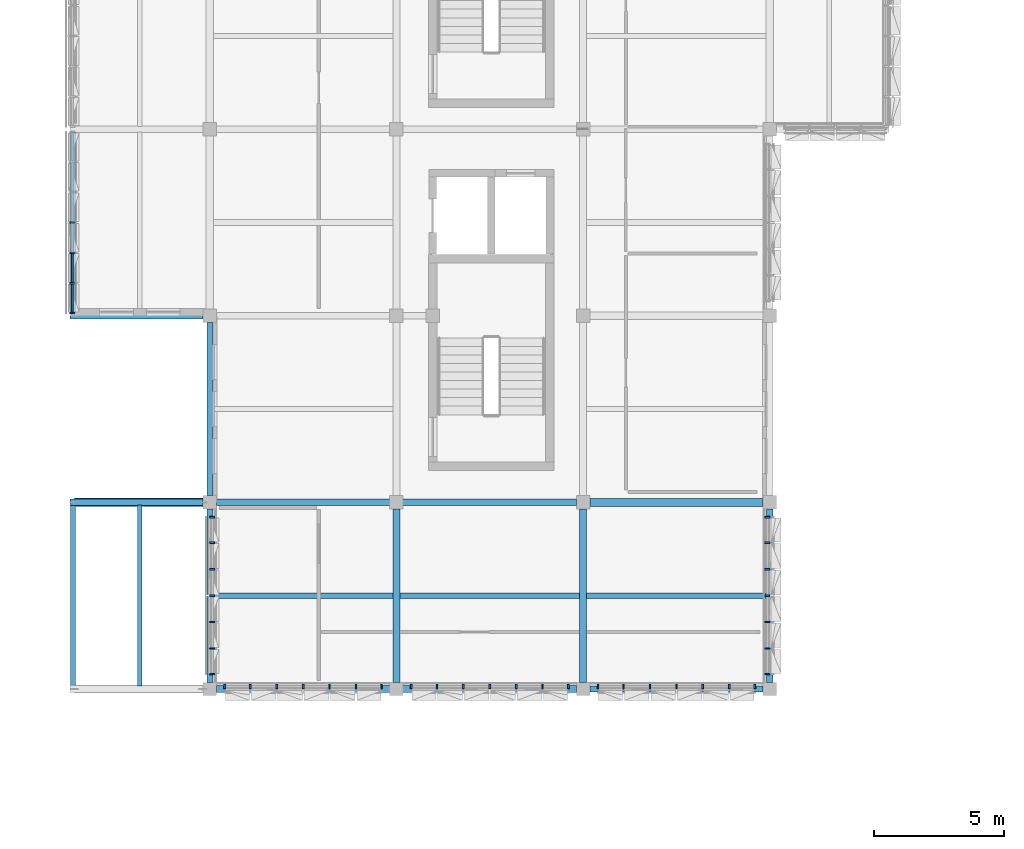
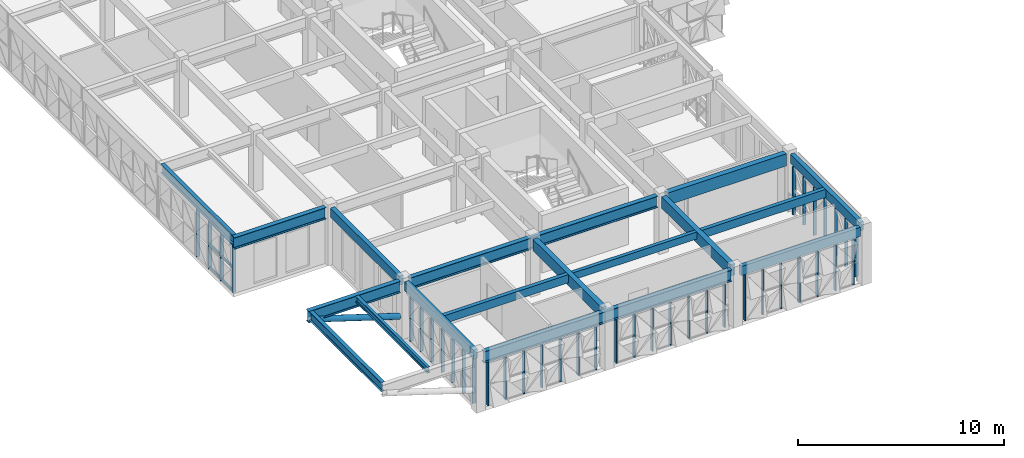
# One storey, part 2 of 48: 46 members, 17 beams, 6 elements without a shape of their own.
"""IFC4 building model written with IfcOpenShell, lengths in metres."""

from ifc_helpers import new_model, si_unit, direction, frame, origin, origin_2d, place, context, subcontext, project, spatial, rectangle, hollow_circle, i_section, extrude, material, material_profile, profile_set, type_object, element, aggregate, save


model = new_model("IFC4")

# Units and contexts
model_context = context("Model", 3, precision=1e-05, world=origin(), true_north=direction((0.0, 1.0)))
body_context = subcontext(model_context, "Body", "Model", "MODEL_VIEW")
ifc_project = project(units=[si_unit("LENGTHUNIT", "METRE"), si_unit("AREAUNIT", "SQUARE_METRE"), si_unit("VOLUMEUNIT", "CUBIC_METRE"), si_unit("PLANEANGLEUNIT", "RADIAN"), si_unit("MASSUNIT", "GRAM", prefix="KILO")], contexts=[model_context])

# Site, building, storey
site_placement = place(None, origin())
site = spatial("IfcSite", under=ifc_project, at=site_placement, CompositionType="ELEMENT")
building_placement = place(site_placement, origin())
building = spatial("IfcBuilding", under=site, at=building_placement, Name="Alvorim Cloister Faculty of Sciences", CompositionType="ELEMENT")
storey_placement = place(building_placement, frame((0.0, 0.0, 19.35009765625)))
storey = spatial("IfcBuildingStorey", under=building, at=storey_placement, Name="L05", CompositionType="ELEMENT", Elevation=19.35009765625)

# Beams
ifc_material_1 = material(Name="Glulam GL28h", Category="wood")
ifc_material_profile_1 = material_profile(ifc_material_1, rectangle(XDim=0.280029296875, YDim=0.659912109375, at=origin_2d()), Name="GL28-BM-280x660")
ifc_profile_set_1 = profile_set([ifc_material_profile_1], Name="Glulam GL28h")
beam_type_1 = type_object("IfcBeamType", Name="BM-GL-280x660", PredefinedType="BEAM", material=ifc_profile_set_1)
for number, where, z_axis, x_axis, name in (
    (1, (14.39990234375, 7.4599609375, 3.059814453125), (0.0, 1.0, 0.0), (-1.0, 0.0, 0.0), "L05 Primary Girder BM-1987"),
    (2, (21.60009765625, 7.4599609375, 3.059814453125), (0.0, 1.0, 0.0), (-1.0, 0.0, 0.0), "L05 Primary Girder BM-1994"),
):
    element("IfcBeam", number, at=place(storey_placement, frame(where, z_axis=z_axis, x_axis=x_axis)), inside=storey, type_object=beam_type_1, Name=name, PredefinedType="BEAM", context=body_context, shape_type="SweptSolid", body=[
        extrude(rectangle(XDim=0.280029296875, YDim=0.659912109375, at=origin_2d()), origin(), (0.0, 0.0, 1.0), 6.679931640625),
    ])
ifc_material_2 = material(Name="Glulam GL32h", Category="wood")
ifc_material_profile_2 = material_profile(ifc_material_2, rectangle(XDim=0.300048828125, YDim=0.719970703125, at=origin_2d()), Name="GL32-BM-300x720")
ifc_profile_set_2 = profile_set([ifc_material_profile_2], Name="Glulam GL32h")
beam_type_2 = type_object("IfcBeamType", Name="BM-GL-300x720", PredefinedType="BEAM", material=ifc_profile_set_2)
beam_1_placement = place(storey_placement, frame((21.860107421875, 14.39990234375, 3.02978515625), z_axis=(1.0, 0.0, 0.0), x_axis=(0.0, 1.0, 0.0)))
element("IfcBeam", 3, at=beam_1_placement, inside=storey, type_object=beam_type_2, Name="L05 Primary Beam BM-1966", PredefinedType="BEAM", context=body_context, shape_type="SweptSolid", body=[
    extrude(rectangle(XDim=0.300048828125, YDim=0.719970703125, at=origin_2d()), origin(), (0.0, 0.0, 1.0), 6.679931640625),
])
ifc_material_profile_3 = material_profile(ifc_material_1, rectangle(XDim=0.199951171875, YDim=0.419921875, at=origin_2d()), Name="GL28-JST-200x420")
ifc_profile_set_3 = profile_set([ifc_material_profile_3], Name="Glulam GL28h")
beam_type_3 = type_object("IfcBeamType", Name="BM-JST-GL-200x420", PredefinedType="JOIST", material=ifc_profile_set_3)
beam_2_placement = place(storey_placement, frame((14.5400390625, 10.800048828125, 3.179931640625), z_axis=(1.0, 0.0, 0.0), x_axis=(0.0, 1.0, 0.0)))
element("IfcBeam", 4, at=beam_2_placement, inside=storey, type_object=beam_type_3, Name="L05 Secondary Floor Joist BM-2023", PredefinedType="JOIST", context=body_context, shape_type="SweptSolid", body=[
    extrude(rectangle(XDim=0.199951171875, YDim=0.419921875, at=origin_2d()), origin(), (0.0, 0.0, 1.0), 6.919921875),
])
ifc_material_profile_4 = material_profile(ifc_material_1, rectangle(XDim=0.219970703125, YDim=0.47998046875, at=origin_2d()), Name="GL28-JST-220x480")
ifc_profile_set_4 = profile_set([ifc_material_profile_4], Name="Glulam GL28h")
beam_type_4 = type_object("IfcBeamType", Name="BM-JST-GL-220x480", PredefinedType="JOIST", material=ifc_profile_set_4)
for number, where, z_axis, x_axis, name in (
    (5, (7.320068359375, 10.800048828125, 3.14990234375), (1.0, 0.0, 0.0), (0.0, 1.0, 0.0), "L05 Secondary Floor Joist BM-2016"),
    (6, (21.739990234375, 10.800048828125, 3.14990234375), (1.0, 0.0, 0.0), (0.0, 1.0, 0.0), "L05 Secondary Floor Joist BM-2024"),
):
    element("IfcBeam", number, at=place(storey_placement, frame(where, z_axis=z_axis, x_axis=x_axis)), inside=storey, type_object=beam_type_4, Name=name, PredefinedType="JOIST", context=body_context, shape_type="SweptSolid", body=[
        extrude(rectangle(XDim=0.219970703125, YDim=0.47998046875, at=origin_2d()), origin(), (0.0, 0.0, 1.0), 6.93994140625),
    ])
ifc_material_profile_5 = material_profile(ifc_material_1, rectangle(XDim=0.239990234375, YDim=0.5400390625, at=origin_2d()), Name="GL28-SPD-240x540")
ifc_profile_set_5 = profile_set([ifc_material_profile_5], Name="Glulam GL28h")
beam_type_5 = type_object("IfcBeamType", Name="BM-SPD-GL-240x540", PredefinedType="SPANDREL", material=ifc_profile_set_5)
for number, where, z_axis, x_axis, name in (
    (7, (21.860107421875, 7.199951171875, 3.119873046875), (1.0, 0.0, 0.0), (0.0, 1.0, 0.0), "L05 Primary Beam BM-1965"),
    (8, (7.199951171875, 7.4599609375, 3.119873046875), (0.0, 1.0, 0.0), (-1.0, 0.0, 0.0), "L05 Primary Girder BM-1980"),
):
    element("IfcBeam", number, at=place(storey_placement, frame(where, z_axis=z_axis, x_axis=x_axis)), inside=storey, type_object=beam_type_5, Name=name, PredefinedType="SPANDREL", context=body_context, shape_type="SweptSolid", body=[
        extrude(rectangle(XDim=0.239990234375, YDim=0.5400390625, at=origin_2d()), origin(), (0.0, 0.0, 1.0), 6.679931640625),
    ])
beam_3_placement = place(storey_placement, frame((7.199951171875, 14.659912109375, 3.119873046875), z_axis=(0.0, 1.0, 0.0), x_axis=(-1.0, 0.0, 0.0)))
element("IfcBeam", 9, at=beam_3_placement, inside=storey, type_object=beam_type_5, Name="L05 Primary Girder BM-1981", PredefinedType="SPANDREL", context=body_context, shape_type="SweptSolid", body=[
    extrude(rectangle(XDim=0.239990234375, YDim=0.5400390625, at=origin_2d()), origin(), (0.0, 0.0, 1.0), 6.68017578125),
])
beam_4_placement = place(storey_placement, frame((28.800048828125, 7.4599609375, 3.119873046875), z_axis=(0.0, 1.0, 0.0), x_axis=(-1.0, 0.0, 0.0)))
element("IfcBeam", 10, at=beam_4_placement, inside=storey, type_object=beam_type_5, Name="L05 Primary Girder BM-2001", PredefinedType="SPANDREL", context=body_context, shape_type="SweptSolid", body=[
    extrude(rectangle(XDim=0.239990234375, YDim=0.5400390625, at=origin_2d()), origin(), (0.0, 0.0, 1.0), 6.679931640625),
])
ifc_material_3 = material(Name="Steel ASTM A572 Grade 50", Category="steel")
ifc_material_profile_6 = material_profile(ifc_material_3, i_section(OverallWidth=0.1708984375, OverallDepth=0.35498046875, WebThickness=0.007080078125, FlangeThickness=0.01171875, FilletRadius=0.012939453125, at=origin_2d()), Name="W360x51.0")
ifc_profile_set_6 = profile_set([ifc_material_profile_6], Name="Steel ASTM A572 Grade 50")
beam_type_6 = type_object("IfcBeamType", Name="BM-STL-W360", PredefinedType="JOIST", material=ifc_profile_set_6)
beam_5_placement = place(storey_placement, frame((4.5, 7.31005859375, 3.21240234375), z_axis=(0.0, 1.0, 0.0), x_axis=(-1.0, 0.0, 0.0)))
element("IfcBeam", 11, at=beam_5_placement, inside=storey, type_object=beam_type_6, Name="L05 Cantilever Deck Joist BM-0156", PredefinedType="JOIST", context=body_context, shape_type="SweptSolid", body=[
    extrude(i_section(OverallWidth=0.1708984375, OverallDepth=0.35498046875, WebThickness=0.007080078125, FlangeThickness=0.01171875, FilletRadius=0.012939453125, at=origin_2d()), origin(), (0.0, 0.0, 1.0), 6.97998046875),
])
ifc_material_profile_7 = material_profile(ifc_material_3, i_section(OverallWidth=0.208984375, OverallDepth=0.532958984375, WebThickness=0.01025390625, FlangeThickness=0.015625, FilletRadius=0.01611328125, at=origin_2d()), Name="W530x92.0")
ifc_profile_set_7 = profile_set([ifc_material_profile_7], Name="Steel ASTM A572 Grade 50")
beam_type_7 = type_object("IfcBeamType", Name="BM-STL-W530", PredefinedType="BEAM", material=ifc_profile_set_7)
for number, where, z_axis, x_axis, name in (
    (12, (1.919921875, 21.7099609375, 3.123291015625), (0.0, 1.0, 0.0), (-1.0, 0.0, 0.0), "L05 Cantilever Tip Header Girder BM-0117"),
    (13, (1.919921875, 7.31005859375, 3.123291015625), (0.0, 1.0, 0.0), (-1.0, 0.0, 0.0), "L05 Cantilever Tip Header Girder BM-0155"),
):
    element("IfcBeam", number, at=place(storey_placement, frame(where, z_axis=z_axis, x_axis=x_axis)), inside=storey, type_object=beam_type_7, Name=name, PredefinedType="BEAM", context=body_context, shape_type="SweptSolid", body=[
        extrude(i_section(OverallWidth=0.208984375, OverallDepth=0.532958984375, WebThickness=0.01025390625, FlangeThickness=0.015625, FilletRadius=0.01611328125, at=origin_2d()), origin(), (0.0, 0.0, 1.0), 6.97998046875),
    ])
ifc_material_profile_8 = material_profile(ifc_material_3, i_section(OverallWidth=0.25390625, OverallDepth=0.68408203125, WebThickness=0.012451171875, FlangeThickness=0.01904296875, FilletRadius=0.01904296875, at=origin_2d()), Name="W690x140.0")
ifc_profile_set_8 = profile_set([ifc_material_profile_8], Name="Steel ASTM A572 Grade 50")
beam_type_8 = type_object("IfcBeamType", Name="BM-STL-W690", PredefinedType="BEAM", material=ifc_profile_set_8)
beam_6_placement = place(storey_placement, frame((1.800048828125, 21.60009765625, 3.0478515625), z_axis=(1.0, 0.0, 0.0), x_axis=(0.0, 1.0, 0.0)))
element("IfcBeam", 14, at=beam_6_placement, inside=storey, type_object=beam_type_8, Name="L05 Cantilever Overhang Girder BM-0106", PredefinedType="BEAM", context=body_context, shape_type="SweptSolid", body=[
    extrude(i_section(OverallWidth=0.25390625, OverallDepth=0.68408203125, WebThickness=0.012451171875, FlangeThickness=0.01904296875, FilletRadius=0.01904296875, at=origin_2d()), origin(), (0.0, 0.0, 1.0), 5.139892578125),
])
for number, where, z_axis, x_axis, name in (
    (15, (7.4599609375, 7.199951171875, 3.0478515625), (1.0, 0.0, 0.0), (0.0, 1.0, 0.0), "L05 Cantilever Backspan Girder BM-0151"),
    (16, (7.4599609375, 14.39990234375, 3.0478515625), (1.0, 0.0, 0.0), (0.0, 1.0, 0.0), "L05 Cantilever Backspan Girder BM-0153"),
):
    element("IfcBeam", number, at=place(storey_placement, frame(where, z_axis=z_axis, x_axis=x_axis)), inside=storey, type_object=beam_type_8, Name=name, PredefinedType="BEAM", context=body_context, shape_type="SweptSolid", body=[
        extrude(i_section(OverallWidth=0.25390625, OverallDepth=0.68408203125, WebThickness=0.012451171875, FlangeThickness=0.01904296875, FilletRadius=0.01904296875, at=origin_2d()), origin(), (0.0, 0.0, 1.0), 13.880126953125),
    ])
beam_7_placement = place(storey_placement, frame((1.800048828125, 14.39990234375, 3.0478515625), z_axis=(1.0, 0.0, 0.0), x_axis=(0.0, 1.0, 0.0)))
element("IfcBeam", 17, at=beam_7_placement, inside=storey, type_object=beam_type_8, Name="L05 Cantilever Overhang Girder BM-0154", PredefinedType="BEAM", context=body_context, shape_type="SweptSolid", body=[
    extrude(i_section(OverallWidth=0.25390625, OverallDepth=0.68408203125, WebThickness=0.012451171875, FlangeThickness=0.01904296875, FilletRadius=0.01904296875, at=origin_2d()), origin(), (0.0, 0.0, 1.0), 5.139892578125),
])

# Curtain wall, members
ifc_material_4 = material(Name="Aluminium and Low-E Glass Curtain Wall", Category="aluminium")
curtain_wall_type_1 = type_object("IfcCurtainWallType", Name="CW-TRI-6120x2850", PredefinedType="USERDEFINED", material=ifc_material_4)
curtain_wall_1_placement = place(storey_placement, origin())
curtain_wall_1 = element("IfcCurtainWall", 18, at=curtain_wall_1_placement, inside=storey, type_object=curtain_wall_type_1, Name="L05 Diagonal Cassette Curtain Wall CW-0213", ObjectType="UNITISED CURTAIN WALL", PredefinedType="USERDEFINED")
ifc_material_5 = material(Name="Aluminium Alloy 6063-T6", Category="aluminium")
ifc_material_profile_9 = material_profile(ifc_material_5, rectangle(XDim=0.06494140625, YDim=0.179931640625, at=origin_2d()), Name="ALU-MUL-65x180")
ifc_profile_set_9 = profile_set([ifc_material_profile_9], Name="Aluminium Alloy 6063-T6")
member_type_1 = type_object("IfcMemberType", Name="CW-MUL-65x180", PredefinedType="MULLION", material=ifc_profile_set_9)
member_1_placement = place(storey_placement, frame((7.2900390625, 7.7724609375, 0.0), z_axis=(0.0, 0.0, 1.0), x_axis=(0.0, 1.0, 0.0)))
member_1 = element("IfcMember", 19, at=member_1_placement, type_object=member_type_1, Name="CW-0213 Mullion 1", PredefinedType="MULLION", context=body_context, shape_type="SweptSolid", body=[
    extrude(rectangle(XDim=0.06494140625, YDim=0.179931640625, at=origin_2d()), origin(), (0.0, 0.0, 1.0), 2.849853515625),
])
member_2_placement = place(storey_placement, frame((7.2900390625, 8.760009765625, 0.0), z_axis=(0.0, 0.0, 1.0), x_axis=(0.0, 1.0, 0.0)))
member_2 = element("IfcMember", 20, at=member_2_placement, type_object=member_type_1, Name="CW-0213 Mullion 2", PredefinedType="MULLION", context=body_context, shape_type="SweptSolid", body=[
    extrude(rectangle(XDim=0.06494140625, YDim=0.179931640625, at=origin_2d()), origin(), (0.0, 0.0, 1.0), 2.849853515625),
])
member_3_placement = place(storey_placement, frame((7.2900390625, 9.780029296875, 0.0), z_axis=(0.0, 0.0, 1.0), x_axis=(0.0, 1.0, 0.0)))
member_3 = element("IfcMember", 21, at=member_3_placement, type_object=member_type_1, Name="CW-0213 Mullion 3", PredefinedType="MULLION", context=body_context, shape_type="SweptSolid", body=[
    extrude(rectangle(XDim=0.06494140625, YDim=0.179931640625, at=origin_2d()), origin(), (0.0, 0.0, 1.0), 2.849853515625),
])
member_4_placement = place(storey_placement, frame((7.2900390625, 10.800048828125, 0.0), z_axis=(0.0, 0.0, 1.0), x_axis=(0.0, 1.0, 0.0)))
member_4 = element("IfcMember", 22, at=member_4_placement, type_object=member_type_1, Name="CW-0213 Mullion 4", PredefinedType="MULLION", context=body_context, shape_type="SweptSolid", body=[
    extrude(rectangle(XDim=0.06494140625, YDim=0.179931640625, at=origin_2d()), origin(), (0.0, 0.0, 1.0), 2.849853515625),
])
member_5_placement = place(storey_placement, frame((7.2900390625, 11.820068359375, 0.0), z_axis=(0.0, 0.0, 1.0), x_axis=(0.0, 1.0, 0.0)))
member_5 = element("IfcMember", 23, at=member_5_placement, type_object=member_type_1, Name="CW-0213 Mullion 5", PredefinedType="MULLION", context=body_context, shape_type="SweptSolid", body=[
    extrude(rectangle(XDim=0.06494140625, YDim=0.179931640625, at=origin_2d()), origin(), (0.0, 0.0, 1.0), 2.849853515625),
])
member_6_placement = place(storey_placement, frame((7.2900390625, 12.840087890625, 0.0), z_axis=(0.0, 0.0, 1.0), x_axis=(0.0, 1.0, 0.0)))
member_6 = element("IfcMember", 24, at=member_6_placement, type_object=member_type_1, Name="CW-0213 Mullion 6", PredefinedType="MULLION", context=body_context, shape_type="SweptSolid", body=[
    extrude(rectangle(XDim=0.06494140625, YDim=0.179931640625, at=origin_2d()), origin(), (0.0, 0.0, 1.0), 2.849853515625),
])
member_7_placement = place(storey_placement, frame((7.2900390625, 13.827392578125, 0.0), z_axis=(0.0, 0.0, 1.0), x_axis=(0.0, 1.0, 0.0)))
member_7 = element("IfcMember", 25, at=member_7_placement, type_object=member_type_1, Name="CW-0213 Mullion 7", PredefinedType="MULLION", context=body_context, shape_type="SweptSolid", body=[
    extrude(rectangle(XDim=0.06494140625, YDim=0.179931640625, at=origin_2d()), origin(), (0.0, 0.0, 1.0), 2.849853515625),
])
aggregate(curtain_wall_1, [member_1, member_2, member_3, member_4, member_5, member_6, member_7])

curtain_wall_type_2 = type_object("IfcCurtainWallType", Name="CW-TRI-7040x2857", PredefinedType="USERDEFINED", material=ifc_material_4)
curtain_wall_2_placement = place(storey_placement, origin())
curtain_wall_2 = element("IfcCurtainWall", 26, at=curtain_wall_2_placement, inside=storey, type_object=curtain_wall_type_2, Name="L05 Diagonal Cassette Curtain Wall CW-0214", ObjectType="UNITISED CURTAIN WALL", PredefinedType="USERDEFINED")
member_8_placement = place(storey_placement, frame((1.889892578125, 21.71240234375, 0.0), z_axis=(0.0, 0.0, 1.0), x_axis=(0.0, 1.0, 0.0)))
member_8 = element("IfcMember", 27, at=member_8_placement, type_object=member_type_1, Name="CW-0214 Mullion 1", PredefinedType="MULLION", context=body_context, shape_type="SweptSolid", body=[
    extrude(rectangle(XDim=0.06494140625, YDim=0.179931640625, at=origin_2d()), origin(), (0.0, 0.0, 1.0), 2.85693359375),
])
member_9_placement = place(storey_placement, frame((1.889892578125, 22.853271484375, 0.0), z_axis=(0.0, 0.0, 1.0), x_axis=(0.0, 1.0, 0.0)))
member_9 = element("IfcMember", 28, at=member_9_placement, type_object=member_type_1, Name="CW-0214 Mullion 2", PredefinedType="MULLION", context=body_context, shape_type="SweptSolid", body=[
    extrude(rectangle(XDim=0.06494140625, YDim=0.179931640625, at=origin_2d()), origin(), (0.0, 0.0, 1.0), 2.85693359375),
])
member_10_placement = place(storey_placement, frame((1.889892578125, 24.026611328125, 0.0), z_axis=(0.0, 0.0, 1.0), x_axis=(0.0, 1.0, 0.0)))
member_10 = element("IfcMember", 29, at=member_10_placement, type_object=member_type_1, Name="CW-0214 Mullion 3", PredefinedType="MULLION", context=body_context, shape_type="SweptSolid", body=[
    extrude(rectangle(XDim=0.06494140625, YDim=0.179931640625, at=origin_2d()), origin(), (0.0, 0.0, 1.0), 2.85693359375),
])
member_11_placement = place(storey_placement, frame((1.889892578125, 25.199951171875, 0.0), z_axis=(0.0, 0.0, 1.0), x_axis=(0.0, 1.0, 0.0)))
member_11 = element("IfcMember", 30, at=member_11_placement, type_object=member_type_1, Name="CW-0214 Mullion 4", PredefinedType="MULLION", context=body_context, shape_type="SweptSolid", body=[
    extrude(rectangle(XDim=0.06494140625, YDim=0.179931640625, at=origin_2d()), origin(), (0.0, 0.0, 1.0), 2.85693359375),
])

curtain_wall_3_placement = place(storey_placement, origin())
curtain_wall_3 = element("IfcCurtainWall", 31, at=curtain_wall_3_placement, inside=storey, type_object=curtain_wall_type_1, Name="L05 Diagonal Cassette Curtain Wall CW-0236", ObjectType="UNITISED CURTAIN WALL", PredefinedType="USERDEFINED")
member_12_placement = place(storey_placement, frame((28.7099609375, 7.7724609375, 0.0), z_axis=(0.0, 0.0, 1.0), x_axis=(0.0, 1.0, 0.0)))
member_12 = element("IfcMember", 32, at=member_12_placement, type_object=member_type_1, Name="CW-0236 Mullion 1", PredefinedType="MULLION", context=body_context, shape_type="SweptSolid", body=[
    extrude(rectangle(XDim=0.06494140625, YDim=0.179931640625, at=origin_2d()), origin(), (0.0, 0.0, 1.0), 2.849853515625),
])
member_13_placement = place(storey_placement, frame((28.7099609375, 8.760009765625, 0.0), z_axis=(0.0, 0.0, 1.0), x_axis=(0.0, 1.0, 0.0)))
member_13 = element("IfcMember", 33, at=member_13_placement, type_object=member_type_1, Name="CW-0236 Mullion 2", PredefinedType="MULLION", context=body_context, shape_type="SweptSolid", body=[
    extrude(rectangle(XDim=0.06494140625, YDim=0.179931640625, at=origin_2d()), origin(), (0.0, 0.0, 1.0), 2.849853515625),
])
member_14_placement = place(storey_placement, frame((28.7099609375, 9.780029296875, 0.0), z_axis=(0.0, 0.0, 1.0), x_axis=(0.0, 1.0, 0.0)))
member_14 = element("IfcMember", 34, at=member_14_placement, type_object=member_type_1, Name="CW-0236 Mullion 3", PredefinedType="MULLION", context=body_context, shape_type="SweptSolid", body=[
    extrude(rectangle(XDim=0.06494140625, YDim=0.179931640625, at=origin_2d()), origin(), (0.0, 0.0, 1.0), 2.849853515625),
])
member_15_placement = place(storey_placement, frame((28.7099609375, 10.800048828125, 0.0), z_axis=(0.0, 0.0, 1.0), x_axis=(0.0, 1.0, 0.0)))
member_15 = element("IfcMember", 35, at=member_15_placement, type_object=member_type_1, Name="CW-0236 Mullion 4", PredefinedType="MULLION", context=body_context, shape_type="SweptSolid", body=[
    extrude(rectangle(XDim=0.06494140625, YDim=0.179931640625, at=origin_2d()), origin(), (0.0, 0.0, 1.0), 2.849853515625),
])
member_16_placement = place(storey_placement, frame((28.7099609375, 11.820068359375, 0.0), z_axis=(0.0, 0.0, 1.0), x_axis=(0.0, 1.0, 0.0)))
member_16 = element("IfcMember", 36, at=member_16_placement, type_object=member_type_1, Name="CW-0236 Mullion 5", PredefinedType="MULLION", context=body_context, shape_type="SweptSolid", body=[
    extrude(rectangle(XDim=0.06494140625, YDim=0.179931640625, at=origin_2d()), origin(), (0.0, 0.0, 1.0), 2.849853515625),
])
member_17_placement = place(storey_placement, frame((28.7099609375, 12.840087890625, 0.0), z_axis=(0.0, 0.0, 1.0), x_axis=(0.0, 1.0, 0.0)))
member_17 = element("IfcMember", 37, at=member_17_placement, type_object=member_type_1, Name="CW-0236 Mullion 6", PredefinedType="MULLION", context=body_context, shape_type="SweptSolid", body=[
    extrude(rectangle(XDim=0.06494140625, YDim=0.179931640625, at=origin_2d()), origin(), (0.0, 0.0, 1.0), 2.849853515625),
])
member_18_placement = place(storey_placement, frame((28.7099609375, 13.827392578125, 0.0), z_axis=(0.0, 0.0, 1.0), x_axis=(0.0, 1.0, 0.0)))
member_18 = element("IfcMember", 38, at=member_18_placement, type_object=member_type_1, Name="CW-0236 Mullion 7", PredefinedType="MULLION", context=body_context, shape_type="SweptSolid", body=[
    extrude(rectangle(XDim=0.06494140625, YDim=0.179931640625, at=origin_2d()), origin(), (0.0, 0.0, 1.0), 2.849853515625),
])
aggregate(curtain_wall_3, [member_12, member_13, member_14, member_15, member_16, member_17, member_18])

curtain_wall_4_placement = place(storey_placement, origin())
curtain_wall_4 = element("IfcCurtainWall", 39, at=curtain_wall_4_placement, inside=storey, type_object=curtain_wall_type_1, Name="L05 Diagonal Cassette Curtain Wall CW-0237", ObjectType="UNITISED CURTAIN WALL", PredefinedType="USERDEFINED")
member_19_placement = place(storey_placement, frame((22.172607421875, 7.2900390625, 0.0), z_axis=(0.0, 0.0, 1.0), x_axis=(1.0, 0.0, 0.0)))
member_19 = element("IfcMember", 40, at=member_19_placement, type_object=member_type_1, Name="CW-0237 Mullion 1", PredefinedType="MULLION", context=body_context, shape_type="SweptSolid", body=[
    extrude(rectangle(XDim=0.06494140625, YDim=0.179931640625, at=origin_2d()), origin(), (0.0, 0.0, 1.0), 2.849853515625),
])
member_20_placement = place(storey_placement, frame((23.159912109375, 7.2900390625, 0.0), z_axis=(0.0, 0.0, 1.0), x_axis=(1.0, 0.0, 0.0)))
member_20 = element("IfcMember", 41, at=member_20_placement, type_object=member_type_1, Name="CW-0237 Mullion 2", PredefinedType="MULLION", context=body_context, shape_type="SweptSolid", body=[
    extrude(rectangle(XDim=0.06494140625, YDim=0.179931640625, at=origin_2d()), origin(), (0.0, 0.0, 1.0), 2.849853515625),
])
member_21_placement = place(storey_placement, frame((24.179931640625, 7.2900390625, 0.0), z_axis=(0.0, 0.0, 1.0), x_axis=(1.0, 0.0, 0.0)))
member_21 = element("IfcMember", 42, at=member_21_placement, type_object=member_type_1, Name="CW-0237 Mullion 3", PredefinedType="MULLION", context=body_context, shape_type="SweptSolid", body=[
    extrude(rectangle(XDim=0.06494140625, YDim=0.179931640625, at=origin_2d()), origin(), (0.0, 0.0, 1.0), 2.849853515625),
])
member_22_placement = place(storey_placement, frame((25.199951171875, 7.2900390625, 0.0), z_axis=(0.0, 0.0, 1.0), x_axis=(1.0, 0.0, 0.0)))
member_22 = element("IfcMember", 43, at=member_22_placement, type_object=member_type_1, Name="CW-0237 Mullion 4", PredefinedType="MULLION", context=body_context, shape_type="SweptSolid", body=[
    extrude(rectangle(XDim=0.06494140625, YDim=0.179931640625, at=origin_2d()), origin(), (0.0, 0.0, 1.0), 2.849853515625),
])
member_23_placement = place(storey_placement, frame((26.219970703125, 7.2900390625, 0.0), z_axis=(0.0, 0.0, 1.0), x_axis=(1.0, 0.0, 0.0)))
member_23 = element("IfcMember", 44, at=member_23_placement, type_object=member_type_1, Name="CW-0237 Mullion 5", PredefinedType="MULLION", context=body_context, shape_type="SweptSolid", body=[
    extrude(rectangle(XDim=0.06494140625, YDim=0.179931640625, at=origin_2d()), origin(), (0.0, 0.0, 1.0), 2.849853515625),
])
member_24_placement = place(storey_placement, frame((27.239990234375, 7.2900390625, 0.0), z_axis=(0.0, 0.0, 1.0), x_axis=(1.0, 0.0, 0.0)))
member_24 = element("IfcMember", 45, at=member_24_placement, type_object=member_type_1, Name="CW-0237 Mullion 6", PredefinedType="MULLION", context=body_context, shape_type="SweptSolid", body=[
    extrude(rectangle(XDim=0.06494140625, YDim=0.179931640625, at=origin_2d()), origin(), (0.0, 0.0, 1.0), 2.849853515625),
])
member_25_placement = place(storey_placement, frame((28.2275390625, 7.2900390625, 0.0), z_axis=(0.0, 0.0, 1.0), x_axis=(1.0, 0.0, 0.0)))
member_25 = element("IfcMember", 46, at=member_25_placement, type_object=member_type_1, Name="CW-0237 Mullion 7", PredefinedType="MULLION", context=body_context, shape_type="SweptSolid", body=[
    extrude(rectangle(XDim=0.06494140625, YDim=0.179931640625, at=origin_2d()), origin(), (0.0, 0.0, 1.0), 2.849853515625),
])
aggregate(curtain_wall_4, [member_19, member_20, member_21, member_22, member_23, member_24, member_25])

curtain_wall_type_3 = type_object("IfcCurtainWallType", Name="CW-TRI-6120x2706", PredefinedType="USERDEFINED", material=ifc_material_4)
curtain_wall_5_placement = place(storey_placement, origin())
curtain_wall_5 = element("IfcCurtainWall", 47, at=curtain_wall_5_placement, inside=storey, type_object=curtain_wall_type_3, Name="L05 Diagonal Cassette Curtain Wall CW-0238", ObjectType="UNITISED CURTAIN WALL", PredefinedType="USERDEFINED")
member_26_placement = place(storey_placement, frame((14.972412109375, 7.2900390625, 0.0), z_axis=(0.0, 0.0, 1.0), x_axis=(1.0, 0.0, 0.0)))
member_26 = element("IfcMember", 48, at=member_26_placement, type_object=member_type_1, Name="CW-0238 Mullion 1", PredefinedType="MULLION", context=body_context, shape_type="SweptSolid", body=[
    extrude(rectangle(XDim=0.06494140625, YDim=0.179931640625, at=origin_2d()), origin(), (0.0, 0.0, 1.0), 2.705810546875),
])
member_27_placement = place(storey_placement, frame((15.9599609375, 7.2900390625, 0.0), z_axis=(0.0, 0.0, 1.0), x_axis=(1.0, 0.0, 0.0)))
member_27 = element("IfcMember", 49, at=member_27_placement, type_object=member_type_1, Name="CW-0238 Mullion 2", PredefinedType="MULLION", context=body_context, shape_type="SweptSolid", body=[
    extrude(rectangle(XDim=0.06494140625, YDim=0.179931640625, at=origin_2d()), origin(), (0.0, 0.0, 1.0), 2.705810546875),
])
member_28_placement = place(storey_placement, frame((16.97998046875, 7.2900390625, 0.0), z_axis=(0.0, 0.0, 1.0), x_axis=(1.0, 0.0, 0.0)))
member_28 = element("IfcMember", 50, at=member_28_placement, type_object=member_type_1, Name="CW-0238 Mullion 3", PredefinedType="MULLION", context=body_context, shape_type="SweptSolid", body=[
    extrude(rectangle(XDim=0.06494140625, YDim=0.179931640625, at=origin_2d()), origin(), (0.0, 0.0, 1.0), 2.705810546875),
])
member_29_placement = place(storey_placement, frame((18.0, 7.2900390625, 0.0), z_axis=(0.0, 0.0, 1.0), x_axis=(1.0, 0.0, 0.0)))
member_29 = element("IfcMember", 51, at=member_29_placement, type_object=member_type_1, Name="CW-0238 Mullion 4", PredefinedType="MULLION", context=body_context, shape_type="SweptSolid", body=[
    extrude(rectangle(XDim=0.06494140625, YDim=0.179931640625, at=origin_2d()), origin(), (0.0, 0.0, 1.0), 2.705810546875),
])
member_30_placement = place(storey_placement, frame((19.02001953125, 7.2900390625, 0.0), z_axis=(0.0, 0.0, 1.0), x_axis=(1.0, 0.0, 0.0)))
member_30 = element("IfcMember", 52, at=member_30_placement, type_object=member_type_1, Name="CW-0238 Mullion 5", PredefinedType="MULLION", context=body_context, shape_type="SweptSolid", body=[
    extrude(rectangle(XDim=0.06494140625, YDim=0.179931640625, at=origin_2d()), origin(), (0.0, 0.0, 1.0), 2.705810546875),
])
member_31_placement = place(storey_placement, frame((20.0400390625, 7.2900390625, 0.0), z_axis=(0.0, 0.0, 1.0), x_axis=(1.0, 0.0, 0.0)))
member_31 = element("IfcMember", 53, at=member_31_placement, type_object=member_type_1, Name="CW-0238 Mullion 6", PredefinedType="MULLION", context=body_context, shape_type="SweptSolid", body=[
    extrude(rectangle(XDim=0.06494140625, YDim=0.179931640625, at=origin_2d()), origin(), (0.0, 0.0, 1.0), 2.705810546875),
])
member_32_placement = place(storey_placement, frame((21.027587890625, 7.2900390625, 0.0), z_axis=(0.0, 0.0, 1.0), x_axis=(1.0, 0.0, 0.0)))
member_32 = element("IfcMember", 54, at=member_32_placement, type_object=member_type_1, Name="CW-0238 Mullion 7", PredefinedType="MULLION", context=body_context, shape_type="SweptSolid", body=[
    extrude(rectangle(XDim=0.06494140625, YDim=0.179931640625, at=origin_2d()), origin(), (0.0, 0.0, 1.0), 2.705810546875),
])
aggregate(curtain_wall_5, [member_26, member_27, member_28, member_29, member_30, member_31, member_32])

curtain_wall_6_placement = place(storey_placement, origin())
curtain_wall_6 = element("IfcCurtainWall", 55, at=curtain_wall_6_placement, inside=storey, type_object=curtain_wall_type_3, Name="L05 Diagonal Cassette Curtain Wall CW-0239", ObjectType="UNITISED CURTAIN WALL", PredefinedType="USERDEFINED")
member_33_placement = place(storey_placement, frame((7.7724609375, 7.2900390625, 0.0), z_axis=(0.0, 0.0, 1.0), x_axis=(1.0, 0.0, 0.0)))
member_33 = element("IfcMember", 56, at=member_33_placement, type_object=member_type_1, Name="CW-0239 Mullion 1", PredefinedType="MULLION", context=body_context, shape_type="SweptSolid", body=[
    extrude(rectangle(XDim=0.06494140625, YDim=0.179931640625, at=origin_2d()), origin(), (0.0, 0.0, 1.0), 2.705810546875),
])
member_34_placement = place(storey_placement, frame((8.760009765625, 7.2900390625, 0.0), z_axis=(0.0, 0.0, 1.0), x_axis=(1.0, 0.0, 0.0)))
member_34 = element("IfcMember", 57, at=member_34_placement, type_object=member_type_1, Name="CW-0239 Mullion 2", PredefinedType="MULLION", context=body_context, shape_type="SweptSolid", body=[
    extrude(rectangle(XDim=0.06494140625, YDim=0.179931640625, at=origin_2d()), origin(), (0.0, 0.0, 1.0), 2.705810546875),
])
member_35_placement = place(storey_placement, frame((9.780029296875, 7.2900390625, 0.0), z_axis=(0.0, 0.0, 1.0), x_axis=(1.0, 0.0, 0.0)))
member_35 = element("IfcMember", 58, at=member_35_placement, type_object=member_type_1, Name="CW-0239 Mullion 3", PredefinedType="MULLION", context=body_context, shape_type="SweptSolid", body=[
    extrude(rectangle(XDim=0.06494140625, YDim=0.179931640625, at=origin_2d()), origin(), (0.0, 0.0, 1.0), 2.705810546875),
])
member_36_placement = place(storey_placement, frame((10.800048828125, 7.2900390625, 0.0), z_axis=(0.0, 0.0, 1.0), x_axis=(1.0, 0.0, 0.0)))
member_36 = element("IfcMember", 59, at=member_36_placement, type_object=member_type_1, Name="CW-0239 Mullion 4", PredefinedType="MULLION", context=body_context, shape_type="SweptSolid", body=[
    extrude(rectangle(XDim=0.06494140625, YDim=0.179931640625, at=origin_2d()), origin(), (0.0, 0.0, 1.0), 2.705810546875),
])
member_37_placement = place(storey_placement, frame((11.820068359375, 7.2900390625, 0.0), z_axis=(0.0, 0.0, 1.0), x_axis=(1.0, 0.0, 0.0)))
member_37 = element("IfcMember", 60, at=member_37_placement, type_object=member_type_1, Name="CW-0239 Mullion 5", PredefinedType="MULLION", context=body_context, shape_type="SweptSolid", body=[
    extrude(rectangle(XDim=0.06494140625, YDim=0.179931640625, at=origin_2d()), origin(), (0.0, 0.0, 1.0), 2.705810546875),
])
member_38_placement = place(storey_placement, frame((12.840087890625, 7.2900390625, 0.0), z_axis=(0.0, 0.0, 1.0), x_axis=(1.0, 0.0, 0.0)))
member_38 = element("IfcMember", 61, at=member_38_placement, type_object=member_type_1, Name="CW-0239 Mullion 6", PredefinedType="MULLION", context=body_context, shape_type="SweptSolid", body=[
    extrude(rectangle(XDim=0.06494140625, YDim=0.179931640625, at=origin_2d()), origin(), (0.0, 0.0, 1.0), 2.705810546875),
])
member_39_placement = place(storey_placement, frame((13.827392578125, 7.2900390625, 0.0), z_axis=(0.0, 0.0, 1.0), x_axis=(1.0, 0.0, 0.0)))
member_39 = element("IfcMember", 62, at=member_39_placement, type_object=member_type_1, Name="CW-0239 Mullion 7", PredefinedType="MULLION", context=body_context, shape_type="SweptSolid", body=[
    extrude(rectangle(XDim=0.06494140625, YDim=0.179931640625, at=origin_2d()), origin(), (0.0, 0.0, 1.0), 2.705810546875),
])
aggregate(curtain_wall_6, [member_33, member_34, member_35, member_36, member_37, member_38, member_39])

# Member
ifc_material_profile_10 = material_profile(ifc_material_5, rectangle(XDim=0.06494140625, YDim=0.139892578125, at=origin_2d()), Name="ALU-TRN-65x140")
ifc_profile_set_10 = profile_set([ifc_material_profile_10], Name="Aluminium Alloy 6063-T6")
member_type_2 = type_object("IfcMemberType", Name="CW-TRN-65x140", PredefinedType="USERDEFINED", material=ifc_profile_set_10)
member_40_placement = place(storey_placement, frame((1.889892578125, 21.7451171875, 0.06982421875), z_axis=(0.0, 1.0, 0.0), x_axis=(-1.0, 0.0, 0.0)))
member_40 = element("IfcMember", 63, at=member_40_placement, type_object=member_type_2, Name="CW-0214 Transom 1.1", ObjectType="TRANSOM", PredefinedType="USERDEFINED", context=body_context, shape_type="SweptSolid", body=[
    extrude(rectangle(XDim=0.06494140625, YDim=0.139892578125, at=origin_2d()), origin(), (0.0, 0.0, 1.0), 1.07568359375),
])

member_41_placement = place(storey_placement, frame((1.889892578125, 21.7451171875, 1.428466796875), z_axis=(0.0, 1.0, 0.0), x_axis=(-1.0, 0.0, 0.0)))
member_41 = element("IfcMember", 64, at=member_41_placement, type_object=member_type_2, Name="CW-0214 Transom 1.2", ObjectType="TRANSOM", PredefinedType="USERDEFINED", context=body_context, shape_type="SweptSolid", body=[
    extrude(rectangle(XDim=0.06494140625, YDim=0.139892578125, at=origin_2d()), origin(), (0.0, 0.0, 1.0), 1.07568359375),
])

member_42_placement = place(storey_placement, frame((1.889892578125, 21.7451171875, 2.786865234375), z_axis=(0.0, 1.0, 0.0), x_axis=(-1.0, 0.0, 0.0)))
member_42 = element("IfcMember", 65, at=member_42_placement, type_object=member_type_2, Name="CW-0214 Transom 1.3", ObjectType="TRANSOM", PredefinedType="USERDEFINED", context=body_context, shape_type="SweptSolid", body=[
    extrude(rectangle(XDim=0.06494140625, YDim=0.139892578125, at=origin_2d()), origin(), (0.0, 0.0, 1.0), 1.07568359375),
])

member_43_placement = place(storey_placement, frame((1.889892578125, 22.8857421875, 0.06982421875), z_axis=(0.0, 1.0, 0.0), x_axis=(-1.0, 0.0, 0.0)))
member_43 = element("IfcMember", 66, at=member_43_placement, type_object=member_type_2, Name="CW-0214 Transom 2.1", ObjectType="TRANSOM", PredefinedType="USERDEFINED", context=body_context, shape_type="SweptSolid", body=[
    extrude(rectangle(XDim=0.06494140625, YDim=0.139892578125, at=origin_2d()), origin(), (0.0, 0.0, 1.0), 1.1083984375),
])

member_44_placement = place(storey_placement, frame((1.889892578125, 22.8857421875, 1.428466796875), z_axis=(0.0, 1.0, 0.0), x_axis=(-1.0, 0.0, 0.0)))
member_44 = element("IfcMember", 67, at=member_44_placement, type_object=member_type_2, Name="CW-0214 Transom 2.2", ObjectType="TRANSOM", PredefinedType="USERDEFINED", context=body_context, shape_type="SweptSolid", body=[
    extrude(rectangle(XDim=0.06494140625, YDim=0.139892578125, at=origin_2d()), origin(), (0.0, 0.0, 1.0), 1.1083984375),
])

member_45_placement = place(storey_placement, frame((1.889892578125, 22.8857421875, 2.786865234375), z_axis=(0.0, 1.0, 0.0), x_axis=(-1.0, 0.0, 0.0)))
member_45 = element("IfcMember", 68, at=member_45_placement, type_object=member_type_2, Name="CW-0214 Transom 2.3", ObjectType="TRANSOM", PredefinedType="USERDEFINED", context=body_context, shape_type="SweptSolid", body=[
    extrude(rectangle(XDim=0.06494140625, YDim=0.139892578125, at=origin_2d()), origin(), (0.0, 0.0, 1.0), 1.1083984375),
])

aggregate(curtain_wall_2, [member_8, member_9, member_10, member_11, member_40, member_41, member_42, member_43, member_44, member_45])

ifc_material_profile_11 = material_profile(ifc_material_3, hollow_circle(Radius=0.161865234375, WallThickness=0.012451171875, at=origin_2d()), Name="CHS323.9x12.5")
ifc_profile_set_11 = profile_set([ifc_material_profile_11], Name="Steel ASTM A572 Grade 50")
member_type_3 = type_object("IfcMemberType", Name="MB-BRC-CHS323", PredefinedType="BRACE", material=ifc_profile_set_11)
member_46_placement = place(storey_placement, frame((6.919921875, 14.39990234375, 1.25), z_axis=(-0.953591924127, 0.0, 0.301102046222), x_axis=(0.0, -1.0, 0.0)))
element("IfcMember", 69, at=member_46_placement, inside=storey, type_object=member_type_3, Name="L05 Cantilever Raker Strut MB-0016", PredefinedType="BRACE", context=body_context, shape_type="SweptSolid", body=[
    extrude(hollow_circle(Radius=0.161865234375, WallThickness=0.012451171875, at=origin_2d()), origin(), (0.0, 0.0, 1.0), 5.180419921875),
])

save(model, "model.ifc")
